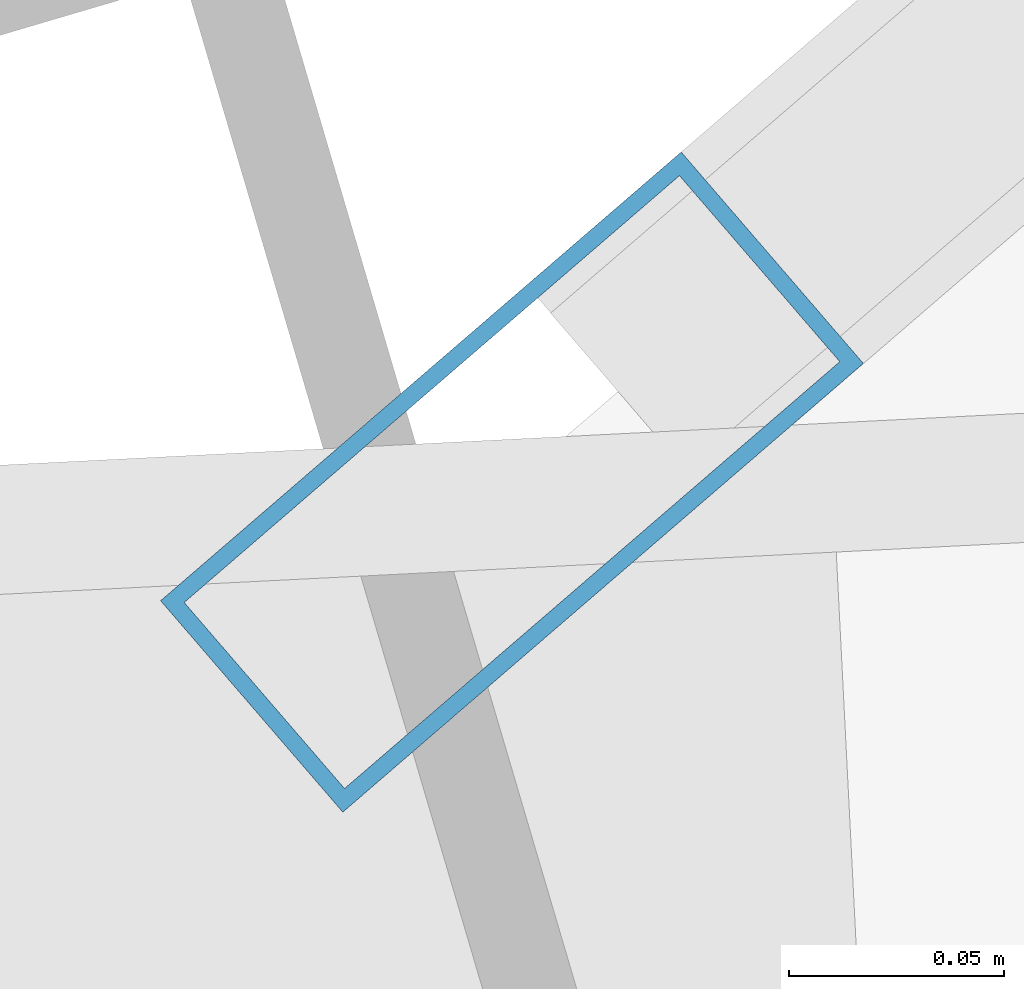
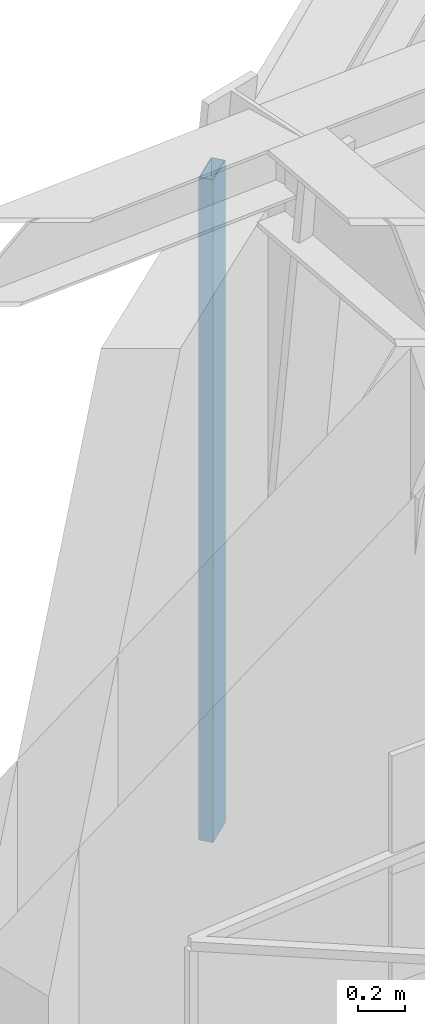
# One storey, part 6 of 22: 1 member, 1 element without a shape of its own.
"""IFC4 building model written with IfcOpenShell, lengths in metres."""

from ifc_helpers import new_model, si_unit, direction, frame, origin, origin_2d, place, context, subcontext, project, spatial, hollow_rectangle, extrude, source, transform, mapped, material, material_profile, profile_set, type_object, element, aggregate, save


model = new_model("IFC4")

# Units and contexts
model_context = context("Model", 3, precision=1e-05, world=origin(), true_north=direction((0.0, 1.0)))
body_context = subcontext(model_context, "Body", "Model", "MODEL_VIEW")
ifc_project = project(units=[si_unit("LENGTHUNIT", "METRE"), si_unit("AREAUNIT", "SQUARE_METRE"), si_unit("VOLUMEUNIT", "CUBIC_METRE"), si_unit("PLANEANGLEUNIT", "RADIAN"), si_unit("MASSUNIT", "GRAM", prefix="KILO")], contexts=[model_context])

# Site, building, storey
site_placement = place(None, origin())
site = spatial("IfcSite", under=ifc_project, at=site_placement, CompositionType="ELEMENT")
building_placement = place(site_placement, origin())
building = spatial("IfcBuilding", under=site, at=building_placement, Name="Olszyna Solenne Hotel", CompositionType="ELEMENT")
storey_placement = place(building_placement, frame((0.0, 0.0, 281.89990234375)))
storey = spatial("IfcBuildingStorey", under=building, at=storey_placement, Name="L75", CompositionType="ELEMENT", Elevation=281.89990234375)

# Curtain wall, member
ifc_material = material(Name="Anodised bronze aluminium", Category="aluminium")
curtain_wall_type = type_object("IfcCurtainWallType", Name="CW-SYS-7", PredefinedType="NOTDEFINED", material=ifc_material)
curtain_wall_placement = place(storey_placement, origin())
curtain_wall = element("IfcCurtainWall", 1, at=curtain_wall_placement, inside=storey, type_object=curtain_wall_type, Name="Unitised curtain wall CW-SYS-7 CW-L75-02", PredefinedType="NOTDEFINED")
ifc_material_profile = material_profile(ifc_material, hollow_rectangle(XDim=0.06494140625, YDim=0.159912109375, WallThickness=0.00390625, at=origin_2d()), Name="MULL 160x65x4", Category="load-bearing")
ifc_profile_set = profile_set([ifc_material_profile], Name="Anodised bronze aluminium")
member_type = type_object("IfcMemberType", Name="CW-M3", PredefinedType="MULLION", material=ifc_profile_set)
shared_shape = source(origin(), body_context, "Body", "SweptSolid", [
    extrude(hollow_rectangle(XDim=0.06494140625, YDim=0.159912109375, WallThickness=0.00390625, at=origin_2d()), origin(), (0.0, 0.0, 1.0), 3.462158203125),
])
member_placement = place(storey_placement, frame((16.27783203125, 24.853759765625, 0.0), z_axis=(0.0, 0.0, 1.0), x_axis=(-0.652840102884, 0.757495742606, 0.0)))
member = element("IfcMember", 2, at=member_placement, type_object=member_type, Name="Curtain-wall mullion CW-M3 CM-L75-02-01", PredefinedType="MULLION", context=body_context, shape_type="MappedRepresentation", body=[
    mapped(shared_shape, transform((0.0, 0.0, 0.0), x_axis=(1.0, 0.0, 0.0), y_axis=(0.0, 1.0, 0.0), z_axis=(0.0, 0.0, 1.0), scale=1.0)),
])
aggregate(curtain_wall, [member])

save(model, "model.ifc")
